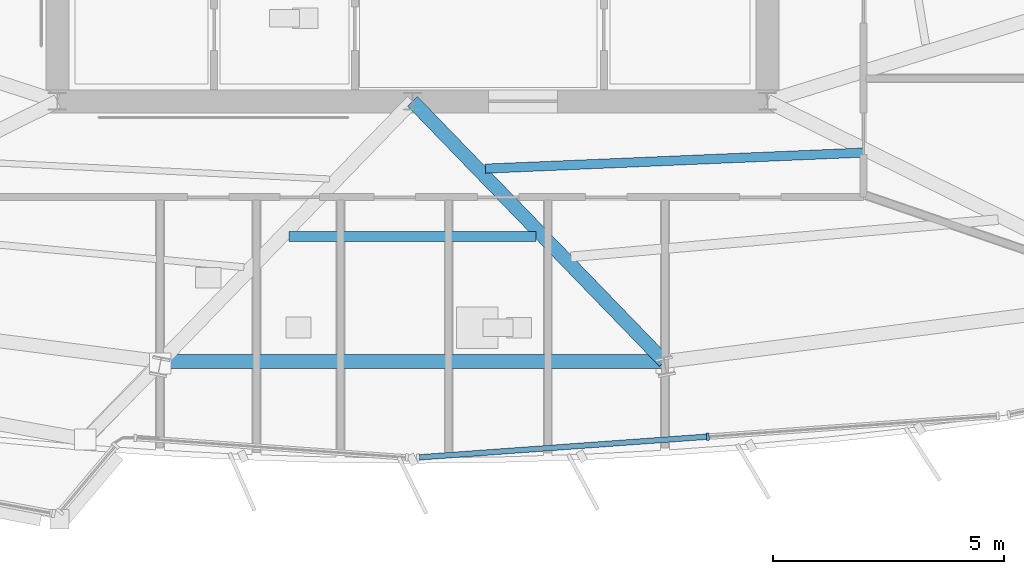
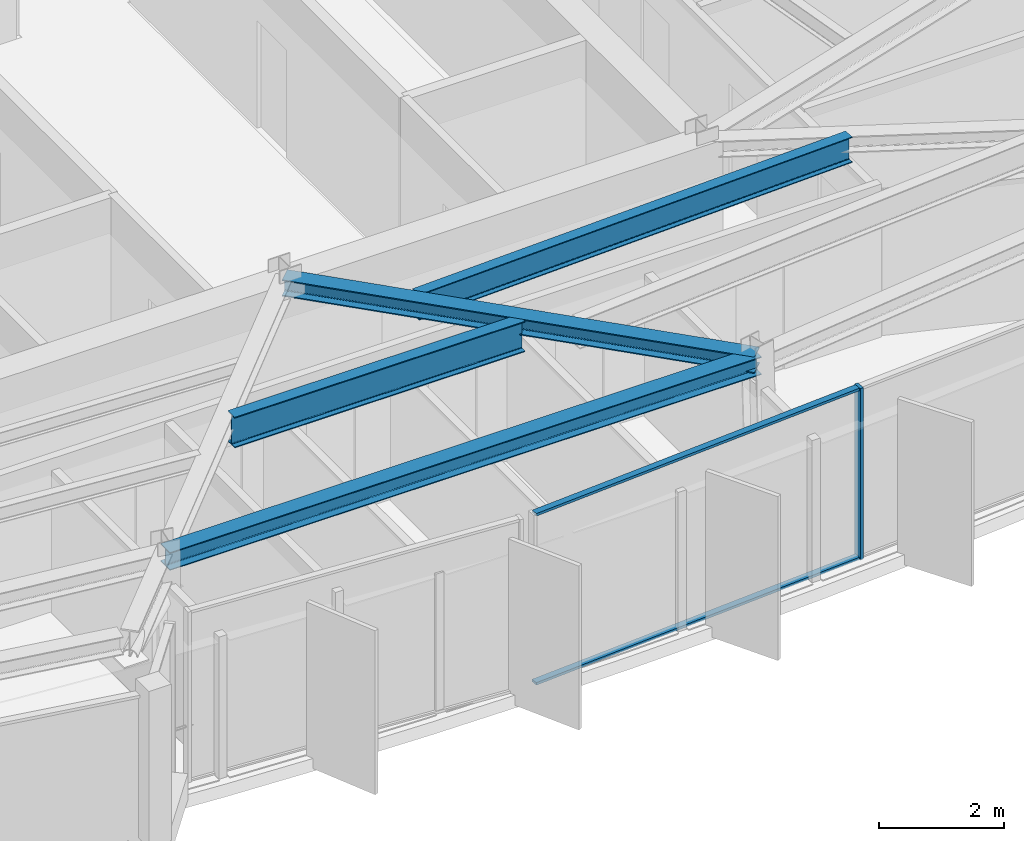
# One storey, part 3 of 14: 4 beams, 3 members, 1 element without a shape of its own.
"""IFC4 building model written with IfcOpenShell, lengths in metres."""

from ifc_helpers import new_model, si_unit, direction, frame, origin, origin_2d, place, context, subcontext, project, spatial, rectangle, i_section, extrude, material, material_profile, profile_set, type_object, element, aggregate, save


model = new_model("IFC4")

# Units and contexts
model_context = context("Model", 3, precision=1e-05, world=origin(), true_north=direction((0.0, 1.0)))
body_context = subcontext(model_context, "Body", "Model", "MODEL_VIEW")
ifc_project = project(units=[si_unit("LENGTHUNIT", "METRE"), si_unit("AREAUNIT", "SQUARE_METRE"), si_unit("VOLUMEUNIT", "CUBIC_METRE"), si_unit("PLANEANGLEUNIT", "RADIAN"), si_unit("MASSUNIT", "GRAM", prefix="KILO")], contexts=[model_context])

# Site, building, storey
site_placement = place(None, origin())
site = spatial("IfcSite", under=ifc_project, at=site_placement, CompositionType="ELEMENT")
building_placement = place(site_placement, origin())
building = spatial("IfcBuilding", under=site, at=building_placement, Name="Savorim Split Tower", CompositionType="ELEMENT")
storey_placement = place(building_placement, frame((0.0, 0.0, 227.10009765625)))
storey = spatial("IfcBuildingStorey", under=building, at=storey_placement, Name="L60", CompositionType="ELEMENT", Elevation=227.10009765625)

# Beams
ifc_material_1 = material(Name="Steel S355", Category="steel")
ifc_material_profile_1 = material_profile(ifc_material_1, i_section(OverallWidth=0.199951171875, OverallDepth=0.5, WebThickness=0.01025390625, FlangeThickness=0.01611328125, FilletRadius=0.02099609375, at=origin_2d()), Name="IPE 500")
ifc_profile_set_1 = profile_set([ifc_material_profile_1], Name="Steel S355")
beam_type_1 = type_object("IfcBeamType", Name="BM-JST-IPE500", PredefinedType="JOIST", material=ifc_profile_set_1)
beam_1_placement = place(storey_placement, frame((1.580322265625, -10.86083984375, 3.099853515625), z_axis=(0.999099011759, 0.042440130794, 0.0), x_axis=(-0.042440130794, 0.999099011759, 0.0)))
element("IfcBeam", 1, at=beam_1_placement, inside=storey, type_object=beam_type_1, Name="L60 Secondary Floor Joist JS-05", PredefinedType="JOIST", context=body_context, shape_type="SweptSolid", body=[
    extrude(i_section(OverallWidth=0.199951171875, OverallDepth=0.5, WebThickness=0.01025390625, FlangeThickness=0.01611328125, FilletRadius=0.02099609375, at=origin_2d()), origin(), (0.0, 0.0, 1.0), 8.203125),
])
ifc_material_profile_2 = material_profile(ifc_material_1, i_section(OverallWidth=0.219970703125, OverallDepth=0.60009765625, WebThickness=0.011962890625, FlangeThickness=0.01904296875, FilletRadius=0.02392578125, at=origin_2d()), Name="IPE 600")
ifc_profile_set_2 = profile_set([ifc_material_profile_2], Name="Steel S355")
beam_type_2 = type_object("IfcBeamType", Name="BM-JST-IPE600", PredefinedType="JOIST", material=ifc_profile_set_2)
beam_2_placement = place(storey_placement, frame((-2.6806640625, -12.33544921875, 3.0498046875), z_axis=(1.0, 0.0, 0.0), x_axis=(0.0, 1.0, 0.0)))
element("IfcBeam", 2, at=beam_2_placement, inside=storey, type_object=beam_type_2, Name="L60 Secondary Floor Joist JS-03", PredefinedType="JOIST", context=body_context, shape_type="SweptSolid", body=[
    extrude(i_section(OverallWidth=0.219970703125, OverallDepth=0.60009765625, WebThickness=0.011962890625, FlangeThickness=0.01904296875, FilletRadius=0.02392578125, at=origin_2d()), origin(), (0.0, 0.0, 1.0), 5.361328125),
])
ifc_material_profile_3 = material_profile(ifc_material_1, i_section(OverallWidth=0.300048828125, OverallDepth=0.320068359375, WebThickness=0.011474609375, FlangeThickness=0.0205078125, FilletRadius=0.027099609375, at=origin_2d()), Name="HEB 320")
ifc_profile_set_3 = profile_set([ifc_material_profile_3], Name="Steel S355")
beam_type_3 = type_object("IfcBeamType", Name="BM-PRI-HEB320", PredefinedType="BEAM", material=ifc_profile_set_3)
beam_3_placement = place(storey_placement, frame((5.462890625, -15.045166015625, 3.18994140625), z_axis=(-0.695403825841, 0.718619175229, 0.0), x_axis=(-0.718619175229, -0.695403825841, 0.0)))
element("IfcBeam", 3, at=beam_3_placement, inside=storey, type_object=beam_type_3, Name="L60 Primary Floor Girder RG-03", PredefinedType="BEAM", context=body_context, shape_type="SweptSolid", body=[
    extrude(i_section(OverallWidth=0.300048828125, OverallDepth=0.320068359375, WebThickness=0.011474609375, FlangeThickness=0.0205078125, FilletRadius=0.027099609375, at=origin_2d()), origin(), (0.0, 0.0, 1.0), 7.855712890625),
])
ifc_material_profile_4 = material_profile(ifc_material_1, i_section(OverallWidth=0.300048828125, OverallDepth=0.35009765625, WebThickness=0.010009765625, FlangeThickness=0.017578125, FilletRadius=0.027099609375, at=origin_2d()), Name="HEA 360")
ifc_profile_set_4 = profile_set([ifc_material_profile_4], Name="Steel S355")
beam_type_4 = type_object("IfcBeamType", Name="BM-SPN-HEA360", PredefinedType="SPANDREL", material=ifc_profile_set_4)
beam_4_placement = place(storey_placement, frame((-5.462890625, -15.045166015625, 3.1748046875), z_axis=(1.0, 0.0, 0.0), x_axis=(0.0, 1.0, 0.0)))
element("IfcBeam", 4, at=beam_4_placement, inside=storey, type_object=beam_type_4, Name="L60 Perimeter Spandrel Beam 2", PredefinedType="SPANDREL", context=body_context, shape_type="SweptSolid", body=[
    extrude(i_section(OverallWidth=0.300048828125, OverallDepth=0.35009765625, WebThickness=0.010009765625, FlangeThickness=0.017578125, FilletRadius=0.027099609375, at=origin_2d()), origin(), (0.0, 0.0, 1.0), 10.92578125),
])

# Curtain wall, members
ifc_material_2 = material(Name="Dark Ceramic-Fritted Insulated Glass", Category="glass")
curtain_wall_type = type_object("IfcCurtainWallType", Name="CW-TWR-FRIT-B", PredefinedType="NOTDEFINED", material=ifc_material_2)
curtain_wall_placement = place(storey_placement, origin())
curtain_wall = element("IfcCurtainWall", 5, at=curtain_wall_placement, inside=storey, type_object=curtain_wall_type, Name="L60 Curtain Wall CW-L60-SF3A", PredefinedType="NOTDEFINED")
ifc_material_3 = material(Name="Charcoal Anodised Aluminium", Category="aluminium")
ifc_material_profile_5 = material_profile(ifc_material_3, rectangle(XDim=0.159912109375, YDim=0.06005859375, at=origin_2d()), Name="ALU-M 160x60")
ifc_profile_set_5 = profile_set([ifc_material_profile_5], Name="Charcoal Anodised Aluminium")
member_type_1 = type_object("IfcMemberType", Name="CWM-160x60", PredefinedType="MULLION", material=ifc_profile_set_5)
member_1_placement = place(storey_placement, frame((6.40673828125, -16.6728515625, 0.0), z_axis=(0.0, 0.0, 1.0), x_axis=(-0.071560189997, 0.997436283282, 0.0)))
member_1 = element("IfcMember", 6, at=member_1_placement, type_object=member_type_1, Name="CW-03 mullion 2", PredefinedType="MULLION", context=body_context, shape_type="SweptSolid", body=[
    extrude(rectangle(XDim=0.159912109375, YDim=0.06005859375, at=origin_2d()), origin(), (0.0, 0.0, 1.0), 3.349853515625),
])
ifc_material_profile_6 = material_profile(ifc_material_3, rectangle(XDim=0.1201171875, YDim=0.050048828125, at=origin_2d()), Name="ALU-T 120x50")
ifc_profile_set_6 = profile_set([ifc_material_profile_6], Name="Charcoal Anodised Aluminium")
member_type_2 = type_object("IfcMemberType", Name="CWT-120x50", PredefinedType="USERDEFINED", material=ifc_profile_set_6)
member_2_placement = place(storey_placement, frame((0.151123046875, -17.121826171875, 0.02490234375), z_axis=(0.997434817603, 0.071580616322, 0.0), x_axis=(-0.071580616322, 0.997434817603, 0.0)))
member_2 = element("IfcMember", 7, at=member_2_placement, type_object=member_type_2, Name="CW-03 transom 1.1", ObjectType="TRANSOM", PredefinedType="USERDEFINED", context=body_context, shape_type="SweptSolid", body=[
    extrude(rectangle(XDim=0.1201171875, YDim=0.050048828125, at=origin_2d()), origin(), (0.0, 0.0, 1.0), 6.24169921875),
])
member_3_placement = place(storey_placement, frame((0.151123046875, -17.121826171875, 3.324951171875), z_axis=(0.997434817603, 0.071580616322, 0.0), x_axis=(-0.071580616322, 0.997434817603, 0.0)))
member_3 = element("IfcMember", 8, at=member_3_placement, type_object=member_type_2, Name="CW-03 transom 1.2", ObjectType="TRANSOM", PredefinedType="USERDEFINED", context=body_context, shape_type="SweptSolid", body=[
    extrude(rectangle(XDim=0.1201171875, YDim=0.050048828125, at=origin_2d()), origin(), (0.0, 0.0, 1.0), 6.24169921875),
])
aggregate(curtain_wall, [member_1, member_2, member_3])

save(model, "model.ifc")
